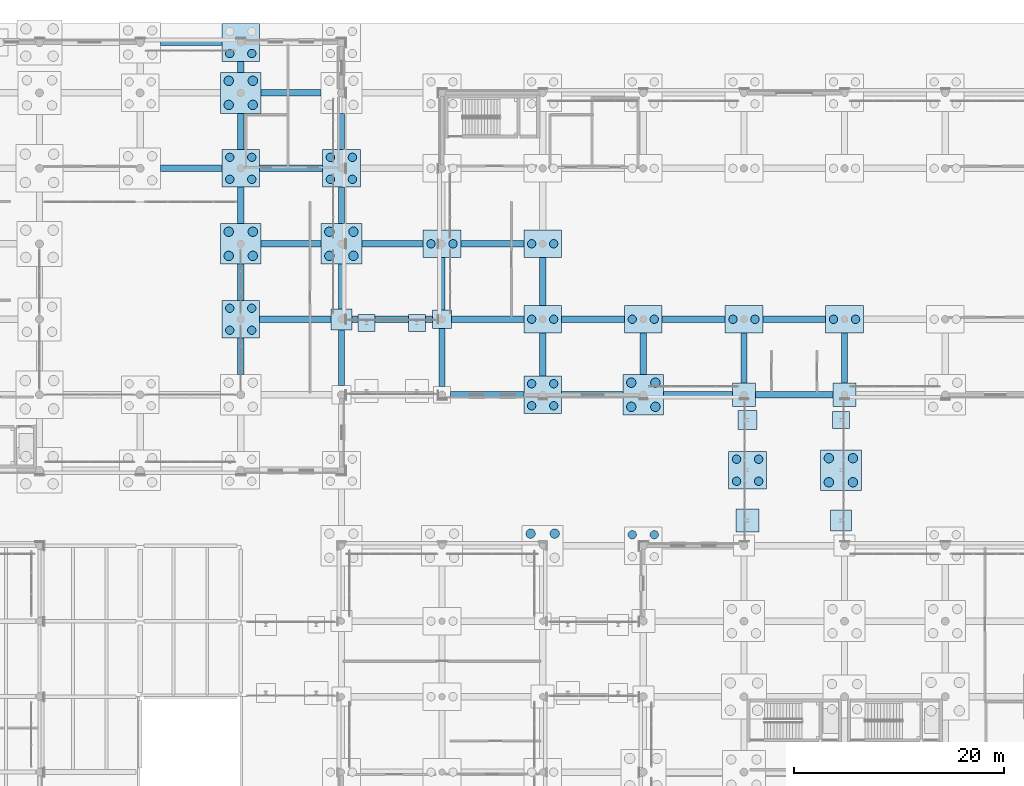
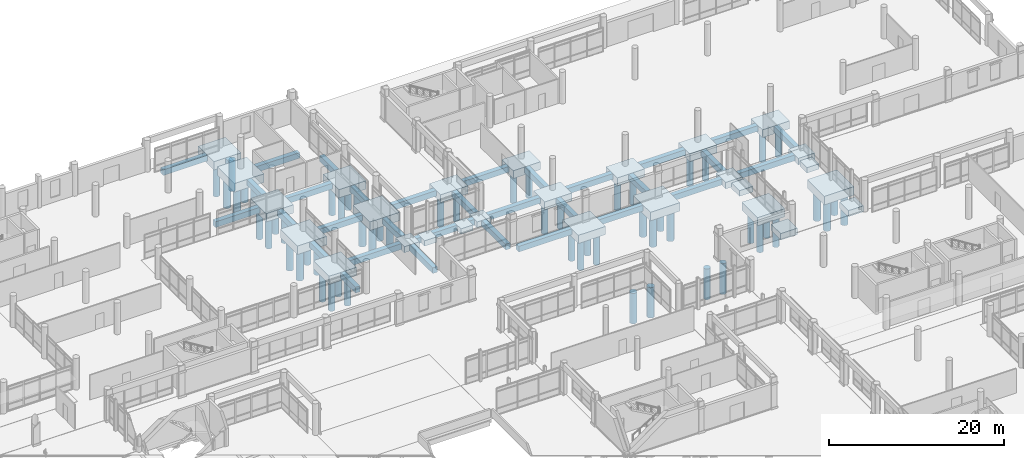
# One storey, part 6 of 196: 60 footings, 58 piles.
"""IFC4 building model written with IfcOpenShell, lengths in metres."""

from ifc_helpers import new_model, si_unit, direction, frame, origin, origin_2d, place, context, subcontext, project, spatial, rectangle, circle, extrude, material, material_profile, profile_set, type_object, element, save


model = new_model("IFC4")

# Units and contexts
model_context = context("Model", 3, precision=1e-05, world=origin(), true_north=direction((0.0, 1.0)))
body_context = subcontext(model_context, "Body", "Model", "MODEL_VIEW")
ifc_project = project(units=[si_unit("LENGTHUNIT", "METRE"), si_unit("AREAUNIT", "SQUARE_METRE"), si_unit("VOLUMEUNIT", "CUBIC_METRE"), si_unit("PLANEANGLEUNIT", "RADIAN"), si_unit("MASSUNIT", "GRAM", prefix="KILO")], contexts=[model_context])

# Site, building, storey
site_placement = place(None, origin())
site = spatial("IfcSite", under=ifc_project, at=site_placement, CompositionType="ELEMENT")
building_placement = place(site_placement, origin())
building = spatial("IfcBuilding", under=site, at=building_placement, Name="Asteropetra Specialist Clinic", CompositionType="ELEMENT")
storey_placement = place(building_placement, origin())
storey = spatial("IfcBuildingStorey", under=building, at=storey_placement, Name="L00", CompositionType="ELEMENT", Elevation=0.0)

# Footings
ifc_material_1 = material(Name="Concrete C35/45", Category="concrete")
ifc_material_profile_1 = material_profile(ifc_material_1, rectangle(XDim=0.60009765625, YDim=0.800048828125, at=origin_2d()), Name="FB 600x800")
ifc_profile_set_1 = profile_set([ifc_material_profile_1], Name="Concrete C35/45")
footing_type_1 = type_object("IfcFootingType", Name="FB-600x800", PredefinedType="FOOTING_BEAM", material=ifc_profile_set_1)
for number, where, z_axis, x_axis, name in (
    (1, (59.550048828125, 98.39990234375, -0.840087890625), (1.0, 0.0, 0.0), (0.0, 1.0, 0.0), "Footing Tie Beam FB-0205"),
    (2, (59.550048828125, 110.39990234375, -0.840087890625), (1.0, 0.0, 0.0), (0.0, 1.0, 0.0), "Footing Tie Beam FB-0209"),
):
    element("IfcFooting", number, at=place(storey_placement, frame(where, z_axis=z_axis, x_axis=x_axis)), inside=storey, type_object=footing_type_1, Name=name, PredefinedType="FOOTING_BEAM", context=body_context, shape_type="SweptSolid", body=[
        extrude(rectangle(XDim=0.60009765625, YDim=0.800048828125, at=origin_2d()), origin(), (0.0, 0.0, 1.0), 5.849853515625),
    ])
footing_1_placement = place(storey_placement, frame((67.199951171875, 78.75, -0.840087890625), z_axis=(0.0, 1.0, 0.0), x_axis=(-1.0, 0.0, 0.0)))
element("IfcFooting", 3, at=footing_1_placement, inside=storey, type_object=footing_type_1, Name="Footing Tie Beam FB-0224", PredefinedType="FOOTING_BEAM", context=body_context, shape_type="SweptSolid", body=[
    extrude(rectangle(XDim=0.60009765625, YDim=0.800048828125, at=origin_2d()), origin(), (0.0, 0.0, 1.0), 3.449951171875),
])
footing_2_placement = place(storey_placement, frame((69.0, 84.0, -0.840087890625), z_axis=(1.0, 0.0, 0.0), x_axis=(0.0, 1.0, 0.0)))
element("IfcFooting", 4, at=footing_2_placement, inside=storey, type_object=footing_type_1, Name="Footing Tie Beam FB-0225", PredefinedType="FOOTING_BEAM", context=body_context, shape_type="SweptSolid", body=[
    extrude(rectangle(XDim=0.60009765625, YDim=0.800048828125, at=origin_2d()), origin(), (0.0, 0.0, 1.0), 6.800048828125),
])
footing_3_placement = place(storey_placement, frame((67.199951171875, 85.800048828125, -0.840087890625), z_axis=(0.0, 1.0, 0.0), x_axis=(-1.0, 0.0, 0.0)))
element("IfcFooting", 5, at=footing_3_placement, inside=storey, type_object=footing_type_1, Name="Footing Tie Beam FB-0226", PredefinedType="FOOTING_BEAM", context=body_context, shape_type="SweptSolid", body=[
    extrude(rectangle(XDim=0.60009765625, YDim=0.800048828125, at=origin_2d()), origin(), (0.0, 0.0, 1.0), 3.449951171875),
])
footing_4_placement = place(storey_placement, frame((69.14990234375, 91.199951171875, -0.840087890625), z_axis=(1.0, 0.0, 0.0), x_axis=(0.0, 1.0, 0.0)))
element("IfcFooting", 6, at=footing_4_placement, inside=storey, type_object=footing_type_1, Name="Footing Tie Beam FB-0227", PredefinedType="FOOTING_BEAM", context=body_context, shape_type="SweptSolid", body=[
    extrude(rectangle(XDim=0.60009765625, YDim=0.800048828125, at=origin_2d()), origin(), (0.0, 0.0, 1.0), 5.7001953125),
])
footing_5_placement = place(storey_placement, frame((67.199951171875, 93.14990234375, -0.840087890625), z_axis=(0.0, 1.0, 0.0), x_axis=(-1.0, 0.0, 0.0)))
element("IfcFooting", 7, at=footing_5_placement, inside=storey, type_object=footing_type_1, Name="Footing Tie Beam FB-0228", PredefinedType="FOOTING_BEAM", context=body_context, shape_type="SweptSolid", body=[
    extrude(rectangle(XDim=0.60009765625, YDim=0.800048828125, at=origin_2d()), origin(), (0.0, 0.0, 1.0), 3.4501953125),
])
footing_6_placement = place(storey_placement, frame((69.0, 98.39990234375, -0.840087890625), z_axis=(1.0, 0.0, 0.0), x_axis=(0.0, 1.0, 0.0)))
element("IfcFooting", 8, at=footing_6_placement, inside=storey, type_object=footing_type_1, Name="Footing Tie Beam FB-0229", PredefinedType="FOOTING_BEAM", context=body_context, shape_type="SweptSolid", body=[
    extrude(rectangle(XDim=0.60009765625, YDim=0.800048828125, at=origin_2d()), origin(), (0.0, 0.0, 1.0), 6.0),
])
footing_7_placement = place(storey_placement, frame((67.199951171875, 100.199951171875, -0.840087890625), z_axis=(0.0, 1.0, 0.0), x_axis=(-1.0, 0.0, 0.0)))
element("IfcFooting", 9, at=footing_7_placement, inside=storey, type_object=footing_type_1, Name="Footing Tie Beam FB-0230", PredefinedType="FOOTING_BEAM", context=body_context, shape_type="SweptSolid", body=[
    extrude(rectangle(XDim=0.60009765625, YDim=0.800048828125, at=origin_2d()), origin(), (0.0, 0.0, 1.0), 3.449951171875),
])
footing_8_placement = place(storey_placement, frame((69.14990234375, 105.60009765625, -0.840087890625), z_axis=(1.0, 0.0, 0.0), x_axis=(0.0, 1.0, 0.0)))
element("IfcFooting", 10, at=footing_8_placement, inside=storey, type_object=footing_type_1, Name="Footing Tie Beam FB-0231", PredefinedType="FOOTING_BEAM", context=body_context, shape_type="SweptSolid", body=[
    extrude(rectangle(XDim=0.60009765625, YDim=0.800048828125, at=origin_2d()), origin(), (0.0, 0.0, 1.0), 5.7001953125),
])
footing_9_placement = place(storey_placement, frame((67.199951171875, 107.550048828125, -0.840087890625), z_axis=(0.0, 1.0, 0.0), x_axis=(-1.0, 0.0, 0.0)))
element("IfcFooting", 11, at=footing_9_placement, inside=storey, type_object=footing_type_1, Name="Footing Tie Beam FB-0232", PredefinedType="FOOTING_BEAM", context=body_context, shape_type="SweptSolid", body=[
    extrude(rectangle(XDim=0.60009765625, YDim=0.800048828125, at=origin_2d()), origin(), (0.0, 0.0, 1.0), 1.050048828125),
])
footing_10_placement = place(storey_placement, frame((76.800048828125, 77.699951171875, -0.840087890625), z_axis=(0.0, 1.0, 0.0), x_axis=(-1.0, 0.0, 0.0)))
element("IfcFooting", 12, at=footing_10_placement, inside=storey, type_object=footing_type_1, Name="Footing Tie Beam FB-0249", PredefinedType="FOOTING_BEAM", context=body_context, shape_type="SweptSolid", body=[
    extrude(rectangle(XDim=0.60009765625, YDim=0.800048828125, at=origin_2d()), origin(), (0.0, 0.0, 1.0), 5.300048828125),
])
footing_11_placement = place(storey_placement, frame((77.800048828125, 84.0, -0.840087890625), z_axis=(1.0, 0.0, 0.0), x_axis=(0.0, 1.0, 0.0)))
element("IfcFooting", 13, at=footing_11_placement, inside=storey, type_object=footing_type_1, Name="Footing Tie Beam FB-0250", PredefinedType="FOOTING_BEAM", context=body_context, shape_type="SweptSolid", body=[
    extrude(rectangle(XDim=0.60009765625, YDim=0.800048828125, at=origin_2d()), origin(), (0.0, 0.0, 1.0), 7.699951171875),
])
footing_12_placement = place(storey_placement, frame((76.800048828125, 85.0, -0.840087890625), z_axis=(0.0, 1.0, 0.0), x_axis=(-1.0, 0.0, 0.0)))
element("IfcFooting", 14, at=footing_12_placement, inside=storey, type_object=footing_type_1, Name="Footing Tie Beam FB-0251", PredefinedType="FOOTING_BEAM", context=body_context, shape_type="SweptSolid", body=[
    extrude(rectangle(XDim=0.60009765625, YDim=0.800048828125, at=origin_2d()), origin(), (0.0, 0.0, 1.0), 4.25),
])
footing_13_placement = place(storey_placement, frame((78.75, 91.199951171875, -0.840087890625), z_axis=(1.0, 0.0, 0.0), x_axis=(0.0, 1.0, 0.0)))
element("IfcFooting", 15, at=footing_13_placement, inside=storey, type_object=footing_type_1, Name="Footing Tie Beam FB-0252", PredefinedType="FOOTING_BEAM", context=body_context, shape_type="SweptSolid", body=[
    extrude(rectangle(XDim=0.60009765625, YDim=0.800048828125, at=origin_2d()), origin(), (0.0, 0.0, 1.0), 5.85009765625),
])
footing_14_placement = place(storey_placement, frame((76.800048828125, 93.14990234375, -0.840087890625), z_axis=(0.0, 1.0, 0.0), x_axis=(-1.0, 0.0, 0.0)))
element("IfcFooting", 16, at=footing_14_placement, inside=storey, type_object=footing_type_1, Name="Footing Tie Beam FB-0253", PredefinedType="FOOTING_BEAM", context=body_context, shape_type="SweptSolid", body=[
    extrude(rectangle(XDim=0.60009765625, YDim=0.800048828125, at=origin_2d()), origin(), (0.0, 0.0, 1.0), 3.4501953125),
])
footing_15_placement = place(storey_placement, frame((76.800048828125, 100.199951171875, -0.840087890625), z_axis=(0.0, 1.0, 0.0), x_axis=(-1.0, 0.0, 0.0)))
element("IfcFooting", 17, at=footing_15_placement, inside=storey, type_object=footing_type_1, Name="Footing Tie Beam FB-0255", PredefinedType="FOOTING_BEAM", context=body_context, shape_type="SweptSolid", body=[
    extrude(rectangle(XDim=0.60009765625, YDim=0.800048828125, at=origin_2d()), origin(), (0.0, 0.0, 1.0), 3.449951171875),
])
footing_16_placement = place(storey_placement, frame((87.199951171875, 76.800048828125, -0.840087890625), z_axis=(1.0, 0.0, 0.0), x_axis=(0.0, 1.0, 0.0)))
element("IfcFooting", 18, at=footing_16_placement, inside=storey, type_object=footing_type_1, Name="Footing Tie Beam FB-0270", PredefinedType="FOOTING_BEAM", context=body_context, shape_type="SweptSolid", body=[
    extrude(rectangle(XDim=0.60009765625, YDim=0.800048828125, at=origin_2d()), origin(), (0.0, 0.0, 1.0), 7.0),
])
footing_17_placement = place(storey_placement, frame((86.39990234375, 77.60009765625, -0.840087890625), z_axis=(0.0, 1.0, 0.0), x_axis=(-1.0, 0.0, 0.0)))
element("IfcFooting", 19, at=footing_17_placement, inside=storey, type_object=footing_type_1, Name="Footing Tie Beam FB-0271", PredefinedType="FOOTING_BEAM", context=body_context, shape_type="SweptSolid", body=[
    extrude(rectangle(XDim=0.60009765625, YDim=0.800048828125, at=origin_2d()), origin(), (0.0, 0.0, 1.0), 5.5),
])
footing_18_placement = place(storey_placement, frame((87.300048828125, 84.0, -0.840087890625), z_axis=(1.0, 0.0, 0.0), x_axis=(0.0, 1.0, 0.0)))
element("IfcFooting", 20, at=footing_18_placement, inside=storey, type_object=footing_type_1, Name="Footing Tie Beam FB-0272", PredefinedType="FOOTING_BEAM", context=body_context, shape_type="SweptSolid", body=[
    extrude(rectangle(XDim=0.60009765625, YDim=0.800048828125, at=origin_2d()), origin(), (0.0, 0.0, 1.0), 6.89990234375),
])
footing_19_placement = place(storey_placement, frame((86.39990234375, 84.89990234375, -0.840087890625), z_axis=(0.0, 1.0, 0.0), x_axis=(-1.0, 0.0, 0.0)))
element("IfcFooting", 21, at=footing_19_placement, inside=storey, type_object=footing_type_1, Name="Footing Tie Beam FB-0273", PredefinedType="FOOTING_BEAM", context=body_context, shape_type="SweptSolid", body=[
    extrude(rectangle(XDim=0.60009765625, YDim=0.800048828125, at=origin_2d()), origin(), (0.0, 0.0, 1.0), 5.0),
])
footing_20_placement = place(storey_placement, frame((88.199951171875, 91.199951171875, -0.840087890625), z_axis=(1.0, 0.0, 0.0), x_axis=(0.0, 1.0, 0.0)))
element("IfcFooting", 22, at=footing_20_placement, inside=storey, type_object=footing_type_1, Name="Footing Tie Beam FB-0274", PredefinedType="FOOTING_BEAM", context=body_context, shape_type="SweptSolid", body=[
    extrude(rectangle(XDim=0.60009765625, YDim=0.800048828125, at=origin_2d()), origin(), (0.0, 0.0, 1.0), 6.0),
])
footing_21_placement = place(storey_placement, frame((97.800048828125, 76.800048828125, -0.840087890625), z_axis=(1.0, 0.0, 0.0), x_axis=(0.0, 1.0, 0.0)))
element("IfcFooting", 23, at=footing_21_placement, inside=storey, type_object=footing_type_1, Name="Footing Tie Beam FB-0289", PredefinedType="FOOTING_BEAM", context=body_context, shape_type="SweptSolid", body=[
    extrude(rectangle(XDim=0.60009765625, YDim=0.800048828125, at=origin_2d()), origin(), (0.0, 0.0, 1.0), 5.849853515625),
])
footing_22_placement = place(storey_placement, frame((96.0, 78.60009765625, -0.840087890625), z_axis=(0.0, 1.0, 0.0), x_axis=(-1.0, 0.0, 0.0)))
element("IfcFooting", 24, at=footing_22_placement, inside=storey, type_object=footing_type_1, Name="Footing Tie Beam FB-0290", PredefinedType="FOOTING_BEAM", context=body_context, shape_type="SweptSolid", body=[
    extrude(rectangle(XDim=0.60009765625, YDim=0.800048828125, at=origin_2d()), origin(), (0.0, 0.0, 1.0), 4.099853515625),
])
footing_23_placement = place(storey_placement, frame((97.800048828125, 84.0, -0.840087890625), z_axis=(1.0, 0.0, 0.0), x_axis=(0.0, 1.0, 0.0)))
element("IfcFooting", 25, at=footing_23_placement, inside=storey, type_object=footing_type_1, Name="Footing Tie Beam FB-0291", PredefinedType="FOOTING_BEAM", context=body_context, shape_type="SweptSolid", body=[
    extrude(rectangle(XDim=0.60009765625, YDim=0.800048828125, at=origin_2d()), origin(), (0.0, 0.0, 1.0), 6.0),
])
footing_24_placement = place(storey_placement, frame((96.0, 85.300048828125, -0.840087890625), z_axis=(0.0, 1.0, 0.0), x_axis=(-1.0, 0.0, 0.0)))
element("IfcFooting", 26, at=footing_24_placement, inside=storey, type_object=footing_type_1, Name="Footing Tie Beam FB-0292", PredefinedType="FOOTING_BEAM", context=body_context, shape_type="SweptSolid", body=[
    extrude(rectangle(XDim=0.60009765625, YDim=0.800048828125, at=origin_2d()), origin(), (0.0, 0.0, 1.0), 4.599853515625),
])
footing_25_placement = place(storey_placement, frame((107.550048828125, 76.800048828125, -0.840087890625), z_axis=(1.0, 0.0, 0.0), x_axis=(0.0, 1.0, 0.0)))
element("IfcFooting", 27, at=footing_25_placement, inside=storey, type_object=footing_type_1, Name="Footing Tie Beam FB-0315", PredefinedType="FOOTING_BEAM", context=body_context, shape_type="SweptSolid", body=[
    extrude(rectangle(XDim=0.60009765625, YDim=0.800048828125, at=origin_2d()), origin(), (0.0, 0.0, 1.0), 6.550048828125),
])
footing_26_placement = place(storey_placement, frame((105.60009765625, 78.75, -0.840087890625), z_axis=(0.0, 1.0, 0.0), x_axis=(-1.0, 0.0, 0.0)))
element("IfcFooting", 28, at=footing_26_placement, inside=storey, type_object=footing_type_1, Name="Footing Tie Beam FB-0316", PredefinedType="FOOTING_BEAM", context=body_context, shape_type="SweptSolid", body=[
    extrude(rectangle(XDim=0.60009765625, YDim=0.800048828125, at=origin_2d()), origin(), (0.0, 0.0, 1.0), 3.949951171875),
])
footing_27_placement = place(storey_placement, frame((107.39990234375, 84.0, -0.840087890625), z_axis=(1.0, 0.0, 0.0), x_axis=(0.0, 1.0, 0.0)))
element("IfcFooting", 29, at=footing_27_placement, inside=storey, type_object=footing_type_1, Name="Footing Tie Beam FB-0317", PredefinedType="FOOTING_BEAM", context=body_context, shape_type="SweptSolid", body=[
    extrude(rectangle(XDim=0.60009765625, YDim=0.800048828125, at=origin_2d()), origin(), (0.0, 0.0, 1.0), 6.0),
])
footing_28_placement = place(storey_placement, frame((116.300048828125, 76.800048828125, -0.840087890625), z_axis=(1.0, 0.0, 0.0), x_axis=(0.0, 1.0, 0.0)))
element("IfcFooting", 30, at=footing_28_placement, inside=storey, type_object=footing_type_1, Name="Footing Tie Beam FB-0339", PredefinedType="FOOTING_BEAM", context=body_context, shape_type="SweptSolid", body=[
    extrude(rectangle(XDim=0.60009765625, YDim=0.800048828125, at=origin_2d()), origin(), (0.0, 0.0, 1.0), 7.39990234375),
])
footing_29_placement = place(storey_placement, frame((115.199951171875, 77.89990234375, -0.840087890625), z_axis=(0.0, 1.0, 0.0), x_axis=(-1.0, 0.0, 0.0)))
element("IfcFooting", 31, at=footing_29_placement, inside=storey, type_object=footing_type_1, Name="Footing Tie Beam FB-0340", PredefinedType="FOOTING_BEAM", context=body_context, shape_type="SweptSolid", body=[
    extrude(rectangle(XDim=0.60009765625, YDim=0.800048828125, at=origin_2d()), origin(), (0.0, 0.0, 1.0), 4.800048828125),
])
footing_30_placement = place(storey_placement, frame((117.0, 84.0, -0.840087890625), z_axis=(1.0, 0.0, 0.0), x_axis=(0.0, 1.0, 0.0)))
element("IfcFooting", 32, at=footing_30_placement, inside=storey, type_object=footing_type_1, Name="Footing Tie Beam FB-0341", PredefinedType="FOOTING_BEAM", context=body_context, shape_type="SweptSolid", body=[
    extrude(rectangle(XDim=0.60009765625, YDim=0.800048828125, at=origin_2d()), origin(), (0.0, 0.0, 1.0), 6.0),
])
footing_31_placement = place(storey_placement, frame((124.800048828125, 77.89990234375, -0.840087890625), z_axis=(0.0, 1.0, 0.0), x_axis=(-1.0, 0.0, 0.0)))
element("IfcFooting", 33, at=footing_31_placement, inside=storey, type_object=footing_type_1, Name="Footing Tie Beam FB-0364", PredefinedType="FOOTING_BEAM", context=body_context, shape_type="SweptSolid", body=[
    extrude(rectangle(XDim=0.60009765625, YDim=0.800048828125, at=origin_2d()), origin(), (0.0, 0.0, 1.0), 4.800048828125),
])
ifc_material_2 = material(Name="Concrete C35/45", Category="concrete")
footing_type_2 = type_object("IfcFootingType", Name="PC-2600", PredefinedType="PILE_CAP", material=ifc_material_2)
for number, where, z_axis, x_axis, name in (
    (34, (86.39990234375, 91.199951171875, -1.5400390625), (0.0, 0.0, 1.0), (1.0, 0.0, 0.0), "Pile Cap PC-01-178"),
    (35, (96.0, 84.0, -1.5400390625), (0.0, 0.0, 1.0), (1.0, 0.0, 0.0), "Pile Cap PC-01-191"),
    (36, (96.0, 91.199951171875, -1.5400390625), (0.0, 0.0, 1.0), (1.0, 0.0, 0.0), "Pile Cap PC-01-192"),
    (37, (105.60009765625, 84.0, -1.5400390625), (0.0, 0.0, 1.0), (1.0, 0.0, 0.0), "Pile Cap PC-01-210"),
    (38, (115.199951171875, 84.0, -1.5400390625), (0.0, 0.0, 1.0), (1.0, 0.0, 0.0), "Pile Cap PC-01-224"),
    (39, (124.800048828125, 84.0, -1.5400390625), (0.0, 0.0, 1.0), (1.0, 0.0, 0.0), "Pile Cap PC-01-244"),
):
    element("IfcFooting", number, at=place(storey_placement, frame(where, z_axis=z_axis, x_axis=x_axis)), inside=storey, type_object=footing_type_2, Name=name, PredefinedType="PILE_CAP", context=body_context, shape_type="SweptSolid", body=[
        extrude(rectangle(XDim=3.60009765625, YDim=2.60009765625, at=origin_2d()), origin(), (0.0, 0.0, 1.0), 1.10009765625),
    ])
ifc_material_3 = material(Name="Concrete C35/45", Category="concrete")
footing_type_3 = type_object("IfcFootingType", Name="PC-2800", PredefinedType="PILE_CAP", material=ifc_material_3)
for number, where, z_axis, x_axis, name in (
    (40, (67.199951171875, 84.0, -1.58984375), (0.0, 0.0, 1.0), (1.0, 0.0, 0.0), "Pile Cap PC-02-140"),
    (41, (67.199951171875, 98.39990234375, -1.58984375), (0.0, 0.0, 1.0), (1.0, 0.0, 0.0), "Pile Cap PC-02-142"),
    (42, (67.199951171875, 110.39990234375, -1.58984375), (0.0, 0.0, 1.0), (1.0, 0.0, 0.0), "Pile Cap PC-02-144"),
    (43, (76.800048828125, 98.39990234375, -1.58984375), (0.0, 0.0, 1.0), (1.0, 0.0, 0.0), "Pile Cap PC-02-160"),
    (44, (96.0, 76.800048828125, -1.58984375), (0.0, 0.0, 1.0), (1.0, 0.0, 0.0), "Pile Cap PC-02-190"),
    (45, (115.550048828125, 69.60009765625, -1.58984375), (0.0, 0.0, 1.0), (1.0, 0.0, 0.0), "Pile Cap PC-02-228"),
):
    element("IfcFooting", number, at=place(storey_placement, frame(where, z_axis=z_axis, x_axis=x_axis)), inside=storey, type_object=footing_type_3, Name=name, PredefinedType="PILE_CAP", context=body_context, shape_type="SweptSolid", body=[
        extrude(rectangle(XDim=3.60009765625, YDim=3.60009765625, at=origin_2d()), origin(), (0.0, 0.0, 1.0), 1.14990234375),
    ])
ifc_material_4 = material(Name="Concrete C35/45", Category="concrete")
footing_type_4 = type_object("IfcFootingType", Name="PC-3000", PredefinedType="PILE_CAP", material=ifc_material_4)
for number, where, z_axis, x_axis, name in (
    (46, (67.199951171875, 91.199951171875, -1.64013671875), (0.0, 0.0, 1.0), (1.0, 0.0, 0.0), "Pile Cap PC-03-141"),
    (47, (67.199951171875, 105.60009765625, -1.64013671875), (0.0, 0.0, 1.0), (1.0, 0.0, 0.0), "Pile Cap PC-03-143"),
    (48, (76.800048828125, 91.199951171875, -1.64013671875), (0.0, 0.0, 1.0), (1.0, 0.0, 0.0), "Pile Cap PC-03-159"),
    (49, (105.60009765625, 76.800048828125, -1.64013671875), (0.0, 0.0, 1.0), (1.0, 0.0, 0.0), "Pile Cap PC-03-209"),
    (50, (124.449951171875, 69.60009765625, -1.64013671875), (0.0, 0.0, 1.0), (1.0, 0.0, 0.0), "Pile Cap PC-03-231"),
):
    element("IfcFooting", number, at=place(storey_placement, frame(where, z_axis=z_axis, x_axis=x_axis)), inside=storey, type_object=footing_type_4, Name=name, PredefinedType="PILE_CAP", context=body_context, shape_type="SweptSolid", body=[
        extrude(rectangle(XDim=3.89990234375, YDim=3.89990234375, at=origin_2d()), origin(), (0.0, 0.0, 1.0), 1.199951171875),
    ])
ifc_material_5 = material(Name="Concrete C35/45", Category="concrete")
footing_type_5 = type_object("IfcFootingType", Name="PF-1600", PredefinedType="PAD_FOOTING", material=ifc_material_5)
for number, where, z_axis, x_axis, name in (
    (51, (79.199951171875, 83.64990234375, -1.18994140625), (0.0, 0.0, 1.0), (1.0, 0.0, 0.0), "Pad Footing PF-01-164"),
    (52, (84.0, 83.64990234375, -1.18994140625), (0.0, 0.0, 1.0), (1.0, 0.0, 0.0), "Pad Footing PF-01-168"),
    (53, (124.449951171875, 74.39990234375, -1.18994140625), (0.0, 0.0, 1.0), (1.0, 0.0, 0.0), "Pad Footing PF-01-232"),
):
    element("IfcFooting", number, at=place(storey_placement, frame(where, z_axis=z_axis, x_axis=x_axis)), inside=storey, type_object=footing_type_5, Name=name, PredefinedType="PAD_FOOTING", context=body_context, shape_type="SweptSolid", body=[
        extrude(rectangle(XDim=1.60009765625, YDim=1.60009765625, at=origin_2d()), origin(), (0.0, 0.0, 1.0), 0.75),
    ])
ifc_material_6 = material(Name="Concrete C35/45", Category="concrete")
footing_type_6 = type_object("IfcFootingType", Name="PF-1800", PredefinedType="PAD_FOOTING", material=ifc_material_6)
for number, where, z_axis, x_axis, name in (
    (54, (86.39990234375, 84.0, -1.240234375), (0.0, 0.0, 1.0), (1.0, 0.0, 0.0), "Pad Footing PF-02-177"),
    (55, (115.550048828125, 74.39990234375, -1.240234375), (0.0, 0.0, 1.0), (1.0, 0.0, 0.0), "Pad Footing PF-02-229"),
):
    element("IfcFooting", number, at=place(storey_placement, frame(where, z_axis=z_axis, x_axis=x_axis)), inside=storey, type_object=footing_type_6, Name=name, PredefinedType="PAD_FOOTING", context=body_context, shape_type="SweptSolid", body=[
        extrude(rectangle(XDim=1.800048828125, YDim=1.800048828125, at=origin_2d()), origin(), (0.0, 0.0, 1.0), 0.800048828125),
    ])
ifc_material_7 = material(Name="Concrete C35/45", Category="concrete")
footing_type_7 = type_object("IfcFootingType", Name="PF-2000", PredefinedType="PAD_FOOTING", material=ifc_material_7)
for number, where, z_axis, x_axis, name in (
    (56, (76.800048828125, 84.0, -1.2900390625), (0.0, 0.0, 1.0), (1.0, 0.0, 0.0), "Pad Footing PF-03-158"),
    (57, (124.449951171875, 64.800048828125, -1.2900390625), (0.0, 0.0, 1.0), (1.0, 0.0, 0.0), "Pad Footing PF-03-230"),
):
    element("IfcFooting", number, at=place(storey_placement, frame(where, z_axis=z_axis, x_axis=x_axis)), inside=storey, type_object=footing_type_7, Name=name, PredefinedType="PAD_FOOTING", context=body_context, shape_type="SweptSolid", body=[
        extrude(rectangle(XDim=2.0, YDim=2.0, at=origin_2d()), origin(), (0.0, 0.0, 1.0), 0.85009765625),
    ])
ifc_material_8 = material(Name="Concrete C35/45", Category="concrete")
footing_type_8 = type_object("IfcFootingType", Name="PF-2200", PredefinedType="PAD_FOOTING", material=ifc_material_8)
for number, where, z_axis, x_axis, name in (
    (58, (115.199951171875, 76.800048828125, -1.33984375), (0.0, 0.0, 1.0), (1.0, 0.0, 0.0), "Pad Footing PF-04-223"),
    (59, (115.550048828125, 64.800048828125, -1.33984375), (0.0, 0.0, 1.0), (1.0, 0.0, 0.0), "Pad Footing PF-04-227"),
    (60, (124.800048828125, 76.800048828125, -1.33984375), (0.0, 0.0, 1.0), (1.0, 0.0, 0.0), "Pad Footing PF-04-243"),
):
    element("IfcFooting", number, at=place(storey_placement, frame(where, z_axis=z_axis, x_axis=x_axis)), inside=storey, type_object=footing_type_8, Name=name, PredefinedType="PAD_FOOTING", context=body_context, shape_type="SweptSolid", body=[
        extrude(rectangle(XDim=2.199951171875, YDim=2.199951171875, at=origin_2d()), origin(), (0.0, 0.0, 1.0), 0.89990234375),
    ])

# Piles
ifc_material_9 = material(Name="Concrete C35/45", Category="concrete")
ifc_material_profile_2 = material_profile(ifc_material_9, circle(Radius=0.39990234375, at=origin_2d()), Name="PILE D800")
ifc_profile_set_2 = profile_set([ifc_material_profile_2], Name="Concrete C35/45")
pile_type_1 = type_object("IfcPileType", Name="PILE-B800", PredefinedType="BORED", material=ifc_profile_set_2)
for number, where, z_axis, x_axis, name in (
    (61, (66.14990234375, 82.949951171875, -1.489990234375), (0.0, 0.0, -1.0), (1.0, 0.0, 0.0), "Bored Pile PPL01-140-1"),
    (62, (68.25, 82.949951171875, -1.489990234375), (0.0, 0.0, -1.0), (1.0, 0.0, 0.0), "Bored Pile PPL01-140-2"),
    (63, (66.14990234375, 85.050048828125, -1.489990234375), (0.0, 0.0, -1.0), (1.0, 0.0, 0.0), "Bored Pile PPL01-140-3"),
    (64, (68.25, 85.050048828125, -1.489990234375), (0.0, 0.0, -1.0), (1.0, 0.0, 0.0), "Bored Pile PPL01-140-4"),
    (65, (66.14990234375, 97.35009765625, -1.489990234375), (0.0, 0.0, -1.0), (1.0, 0.0, 0.0), "Bored Pile PPL01-142-1"),
    (66, (68.25, 97.35009765625, -1.489990234375), (0.0, 0.0, -1.0), (1.0, 0.0, 0.0), "Bored Pile PPL01-142-2"),
    (67, (66.14990234375, 99.449951171875, -1.489990234375), (0.0, 0.0, -1.0), (1.0, 0.0, 0.0), "Bored Pile PPL01-142-3"),
    (68, (68.25, 99.449951171875, -1.489990234375), (0.0, 0.0, -1.0), (1.0, 0.0, 0.0), "Bored Pile PPL01-142-4"),
    (69, (66.14990234375, 109.35009765625, -1.489990234375), (0.0, 0.0, -1.0), (1.0, 0.0, 0.0), "Bored Pile PPL01-144-1"),
    (70, (68.25, 109.35009765625, -1.489990234375), (0.0, 0.0, -1.0), (1.0, 0.0, 0.0), "Bored Pile PPL01-144-2"),
    (71, (75.75, 97.35009765625, -1.489990234375), (0.0, 0.0, -1.0), (1.0, 0.0, 0.0), "Bored Pile PPL01-160-1"),
    (72, (77.85009765625, 97.35009765625, -1.489990234375), (0.0, 0.0, -1.0), (1.0, 0.0, 0.0), "Bored Pile PPL01-160-2"),
    (73, (75.75, 99.449951171875, -1.489990234375), (0.0, 0.0, -1.0), (1.0, 0.0, 0.0), "Bored Pile PPL01-160-3"),
    (74, (77.85009765625, 99.449951171875, -1.489990234375), (0.0, 0.0, -1.0), (1.0, 0.0, 0.0), "Bored Pile PPL01-160-4"),
):
    element("IfcPile", number, at=place(storey_placement, frame(where, z_axis=z_axis, x_axis=x_axis)), inside=storey, type_object=pile_type_1, Name=name, PredefinedType="BORED", context=body_context, shape_type="SweptSolid", body=[
        extrude(circle(Radius=0.39990234375, at=origin_2d()), origin(), (0.0, 0.0, 1.0), 4.31005859375),
    ])
for number, where, z_axis, x_axis, name in (
    (75, (85.35009765625, 91.199951171875, -1.43994140625), (0.0, 0.0, -1.0), (1.0, 0.0, 0.0), "Bored Pile PPL01-178-1"),
    (76, (87.449951171875, 91.199951171875, -1.43994140625), (0.0, 0.0, -1.0), (1.0, 0.0, 0.0), "Bored Pile PPL01-178-2"),
):
    element("IfcPile", number, at=place(storey_placement, frame(where, z_axis=z_axis, x_axis=x_axis)), inside=storey, type_object=pile_type_1, Name=name, PredefinedType="BORED", context=body_context, shape_type="SweptSolid", body=[
        extrude(circle(Radius=0.39990234375, at=origin_2d()), origin(), (0.0, 0.0, 1.0), 4.360107421875),
    ])
for number, where, z_axis, x_axis, name in (
    (77, (94.949951171875, 75.75, -1.489990234375), (0.0, 0.0, -1.0), (1.0, 0.0, 0.0), "Bored Pile PPL01-190-1"),
    (78, (97.050048828125, 75.75, -1.489990234375), (0.0, 0.0, -1.0), (1.0, 0.0, 0.0), "Bored Pile PPL01-190-2"),
    (79, (94.949951171875, 77.85009765625, -1.489990234375), (0.0, 0.0, -1.0), (1.0, 0.0, 0.0), "Bored Pile PPL01-190-3"),
    (80, (97.050048828125, 77.85009765625, -1.489990234375), (0.0, 0.0, -1.0), (1.0, 0.0, 0.0), "Bored Pile PPL01-190-4"),
):
    element("IfcPile", number, at=place(storey_placement, frame(where, z_axis=z_axis, x_axis=x_axis)), inside=storey, type_object=pile_type_1, Name=name, PredefinedType="BORED", context=body_context, shape_type="SweptSolid", body=[
        extrude(circle(Radius=0.39990234375, at=origin_2d()), origin(), (0.0, 0.0, 1.0), 4.31005859375),
    ])
for number, where, z_axis, x_axis, name in (
    (81, (94.949951171875, 84.0, -1.43994140625), (0.0, 0.0, -1.0), (1.0, 0.0, 0.0), "Bored Pile PPL01-191-1"),
    (82, (97.050048828125, 84.0, -1.43994140625), (0.0, 0.0, -1.0), (1.0, 0.0, 0.0), "Bored Pile PPL01-191-2"),
    (83, (94.949951171875, 91.199951171875, -1.43994140625), (0.0, 0.0, -1.0), (1.0, 0.0, 0.0), "Bored Pile PPL01-192-1"),
    (84, (97.050048828125, 91.199951171875, -1.43994140625), (0.0, 0.0, -1.0), (1.0, 0.0, 0.0), "Bored Pile PPL01-192-2"),
):
    element("IfcPile", number, at=place(storey_placement, frame(where, z_axis=z_axis, x_axis=x_axis)), inside=storey, type_object=pile_type_1, Name=name, PredefinedType="BORED", context=body_context, shape_type="SweptSolid", body=[
        extrude(circle(Radius=0.39990234375, at=origin_2d()), origin(), (0.0, 0.0, 1.0), 4.360107421875),
    ])
for number, where, z_axis, x_axis, name in (
    (85, (104.550048828125, 63.449951171875, -1.489990234375), (0.0, 0.0, -1.0), (1.0, 0.0, 0.0), "Bored Pile PPL01-208-3"),
    (86, (106.64990234375, 63.449951171875, -1.489990234375), (0.0, 0.0, -1.0), (1.0, 0.0, 0.0), "Bored Pile PPL01-208-4"),
):
    element("IfcPile", number, at=place(storey_placement, frame(where, z_axis=z_axis, x_axis=x_axis)), inside=storey, type_object=pile_type_1, Name=name, PredefinedType="BORED", context=body_context, shape_type="SweptSolid", body=[
        extrude(circle(Radius=0.39990234375, at=origin_2d()), origin(), (0.0, 0.0, 1.0), 4.31005859375),
    ])
for number, where, z_axis, x_axis, name in (
    (87, (104.550048828125, 84.0, -1.43994140625), (0.0, 0.0, -1.0), (1.0, 0.0, 0.0), "Bored Pile PPL01-210-1"),
    (88, (106.64990234375, 84.0, -1.43994140625), (0.0, 0.0, -1.0), (1.0, 0.0, 0.0), "Bored Pile PPL01-210-2"),
    (89, (114.14990234375, 84.0, -1.43994140625), (0.0, 0.0, -1.0), (1.0, 0.0, 0.0), "Bored Pile PPL01-224-1"),
    (90, (116.25, 84.0, -1.43994140625), (0.0, 0.0, -1.0), (1.0, 0.0, 0.0), "Bored Pile PPL01-224-2"),
):
    element("IfcPile", number, at=place(storey_placement, frame(where, z_axis=z_axis, x_axis=x_axis)), inside=storey, type_object=pile_type_1, Name=name, PredefinedType="BORED", context=body_context, shape_type="SweptSolid", body=[
        extrude(circle(Radius=0.39990234375, at=origin_2d()), origin(), (0.0, 0.0, 1.0), 4.360107421875),
    ])
for number, where, z_axis, x_axis, name in (
    (91, (114.5, 68.550048828125, -1.489990234375), (0.0, 0.0, -1.0), (1.0, 0.0, 0.0), "Bored Pile PPL01-228-1"),
    (92, (116.60009765625, 68.550048828125, -1.489990234375), (0.0, 0.0, -1.0), (1.0, 0.0, 0.0), "Bored Pile PPL01-228-2"),
    (93, (114.5, 70.64990234375, -1.489990234375), (0.0, 0.0, -1.0), (1.0, 0.0, 0.0), "Bored Pile PPL01-228-3"),
    (94, (116.60009765625, 70.64990234375, -1.489990234375), (0.0, 0.0, -1.0), (1.0, 0.0, 0.0), "Bored Pile PPL01-228-4"),
):
    element("IfcPile", number, at=place(storey_placement, frame(where, z_axis=z_axis, x_axis=x_axis)), inside=storey, type_object=pile_type_1, Name=name, PredefinedType="BORED", context=body_context, shape_type="SweptSolid", body=[
        extrude(circle(Radius=0.39990234375, at=origin_2d()), origin(), (0.0, 0.0, 1.0), 4.31005859375),
    ])
for number, where, z_axis, x_axis, name in (
    (95, (123.75, 84.0, -1.43994140625), (0.0, 0.0, -1.0), (1.0, 0.0, 0.0), "Bored Pile PPL01-244-1"),
    (96, (125.85009765625, 84.0, -1.43994140625), (0.0, 0.0, -1.0), (1.0, 0.0, 0.0), "Bored Pile PPL01-244-2"),
):
    element("IfcPile", number, at=place(storey_placement, frame(where, z_axis=z_axis, x_axis=x_axis)), inside=storey, type_object=pile_type_1, Name=name, PredefinedType="BORED", context=body_context, shape_type="SweptSolid", body=[
        extrude(circle(Radius=0.39990234375, at=origin_2d()), origin(), (0.0, 0.0, 1.0), 4.360107421875),
    ])
ifc_material_10 = material(Name="Concrete C35/45", Category="concrete")
ifc_material_profile_3 = material_profile(ifc_material_10, circle(Radius=0.449951171875, at=origin_2d()), Name="PILE D900")
ifc_profile_set_3 = profile_set([ifc_material_profile_3], Name="Concrete C35/45")
pile_type_2 = type_object("IfcPileType", Name="PILE-B900", PredefinedType="BORED", material=ifc_profile_set_3)
for number, where, z_axis, x_axis, name in (
    (97, (66.050048828125, 90.050048828125, -1.5400390625), (0.0, 0.0, -1.0), (1.0, 0.0, 0.0), "Bored Pile PPL02-141-1"),
    (98, (68.35009765625, 90.050048828125, -1.5400390625), (0.0, 0.0, -1.0), (1.0, 0.0, 0.0), "Bored Pile PPL02-141-2"),
    (99, (66.050048828125, 92.35009765625, -1.5400390625), (0.0, 0.0, -1.0), (1.0, 0.0, 0.0), "Bored Pile PPL02-141-3"),
    (100, (68.35009765625, 92.35009765625, -1.5400390625), (0.0, 0.0, -1.0), (1.0, 0.0, 0.0), "Bored Pile PPL02-141-4"),
    (101, (66.050048828125, 104.449951171875, -1.5400390625), (0.0, 0.0, -1.0), (1.0, 0.0, 0.0), "Bored Pile PPL02-143-1"),
    (102, (68.35009765625, 104.449951171875, -1.5400390625), (0.0, 0.0, -1.0), (1.0, 0.0, 0.0), "Bored Pile PPL02-143-2"),
    (103, (66.050048828125, 106.75, -1.5400390625), (0.0, 0.0, -1.0), (1.0, 0.0, 0.0), "Bored Pile PPL02-143-3"),
    (104, (68.35009765625, 106.75, -1.5400390625), (0.0, 0.0, -1.0), (1.0, 0.0, 0.0), "Bored Pile PPL02-143-4"),
    (105, (75.64990234375, 90.050048828125, -1.5400390625), (0.0, 0.0, -1.0), (1.0, 0.0, 0.0), "Bored Pile PPL02-159-1"),
    (106, (77.949951171875, 90.050048828125, -1.5400390625), (0.0, 0.0, -1.0), (1.0, 0.0, 0.0), "Bored Pile PPL02-159-2"),
    (107, (75.64990234375, 92.35009765625, -1.5400390625), (0.0, 0.0, -1.0), (1.0, 0.0, 0.0), "Bored Pile PPL02-159-3"),
    (108, (77.949951171875, 92.35009765625, -1.5400390625), (0.0, 0.0, -1.0), (1.0, 0.0, 0.0), "Bored Pile PPL02-159-4"),
    (109, (94.85009765625, 63.550048828125, -1.5400390625), (0.0, 0.0, -1.0), (1.0, 0.0, 0.0), "Bored Pile PPL02-189-3"),
    (110, (97.14990234375, 63.550048828125, -1.5400390625), (0.0, 0.0, -1.0), (1.0, 0.0, 0.0), "Bored Pile PPL02-189-4"),
    (111, (104.449951171875, 75.64990234375, -1.5400390625), (0.0, 0.0, -1.0), (1.0, 0.0, 0.0), "Bored Pile PPL02-209-1"),
    (112, (106.75, 75.64990234375, -1.5400390625), (0.0, 0.0, -1.0), (1.0, 0.0, 0.0), "Bored Pile PPL02-209-2"),
    (113, (104.449951171875, 77.949951171875, -1.5400390625), (0.0, 0.0, -1.0), (1.0, 0.0, 0.0), "Bored Pile PPL02-209-3"),
    (114, (106.75, 77.949951171875, -1.5400390625), (0.0, 0.0, -1.0), (1.0, 0.0, 0.0), "Bored Pile PPL02-209-4"),
    (115, (123.300048828125, 68.449951171875, -1.5400390625), (0.0, 0.0, -1.0), (1.0, 0.0, 0.0), "Bored Pile PPL02-231-1"),
    (116, (125.60009765625, 68.449951171875, -1.5400390625), (0.0, 0.0, -1.0), (1.0, 0.0, 0.0), "Bored Pile PPL02-231-2"),
    (117, (123.300048828125, 70.75, -1.5400390625), (0.0, 0.0, -1.0), (1.0, 0.0, 0.0), "Bored Pile PPL02-231-3"),
    (118, (125.60009765625, 70.75, -1.5400390625), (0.0, 0.0, -1.0), (1.0, 0.0, 0.0), "Bored Pile PPL02-231-4"),
):
    element("IfcPile", number, at=place(storey_placement, frame(where, z_axis=z_axis, x_axis=x_axis)), inside=storey, type_object=pile_type_2, Name=name, PredefinedType="BORED", context=body_context, shape_type="SweptSolid", body=[
        extrude(circle(Radius=0.449951171875, at=origin_2d()), origin(), (0.0, 0.0, 1.0), 4.260009765625),
    ])

save(model, "model.ifc")
